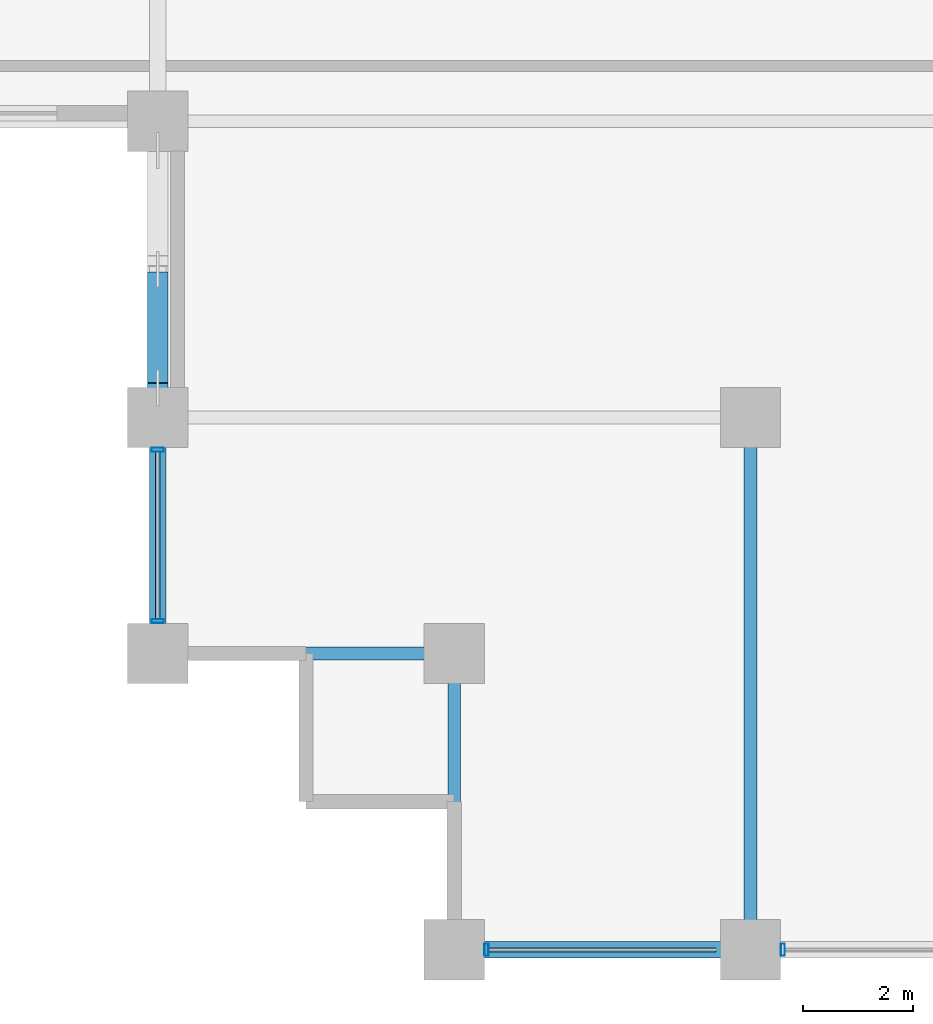
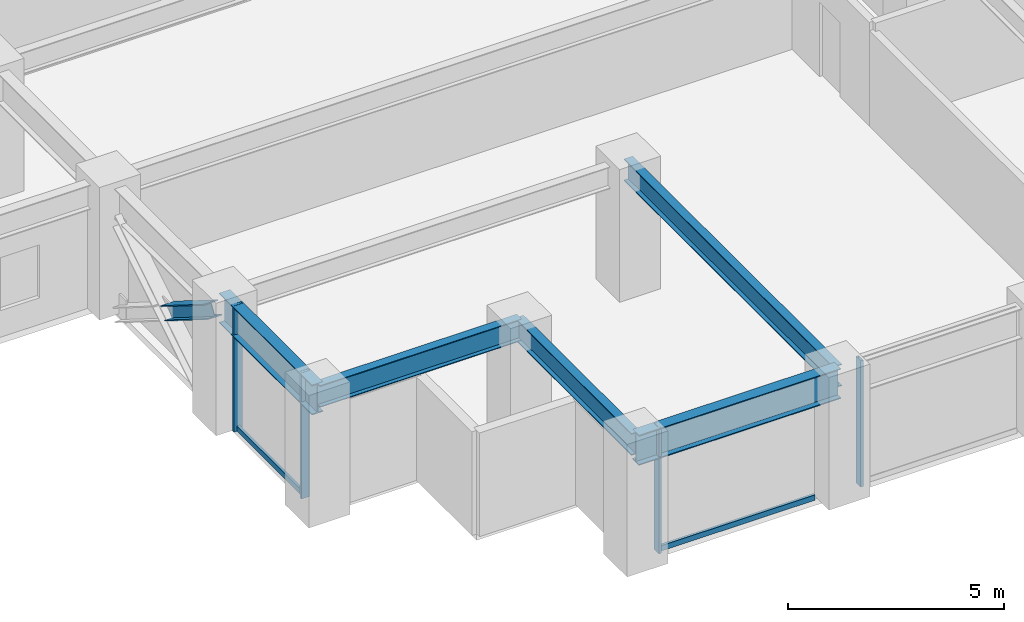
# One storey, part 2 of 29: 7 members, 5 beams, 2 elements without a shape of their own.
"""IFC4 building model written with IfcOpenShell, lengths in metres."""

from ifc_helpers import new_model, si_unit, direction, frame, origin, origin_2d, place, context, subcontext, project, spatial, hollow_rectangle, i_section, extrude, material, layer, layer_set, material_profile, profile_set, type_object, element, aggregate, save


model = new_model("IFC4")

# Units and contexts
model_context = context("Model", 3, precision=1e-05, world=origin(), true_north=direction((0.0, 1.0)))
body_context = subcontext(model_context, "Body", "Model", "MODEL_VIEW")
ifc_project = project(units=[si_unit("LENGTHUNIT", "METRE"), si_unit("AREAUNIT", "SQUARE_METRE"), si_unit("VOLUMEUNIT", "CUBIC_METRE"), si_unit("PLANEANGLEUNIT", "RADIAN"), si_unit("MASSUNIT", "GRAM", prefix="KILO")], contexts=[model_context])

# Site, building, storey
site_placement = place(None, origin())
site = spatial("IfcSite", under=ifc_project, at=site_placement, CompositionType="ELEMENT")
building_placement = place(site_placement, origin())
building = spatial("IfcBuilding", under=site, at=building_placement, Name="Surkhivell Harbour Commons", CompositionType="ELEMENT")
storey_placement = place(building_placement, frame((0.0, 0.0, 90.75)))
storey = spatial("IfcBuildingStorey", under=building, at=storey_placement, Name="L23", CompositionType="ELEMENT", Elevation=90.75)

# Beams
ifc_material_1 = material(Name="Steel S355", Category="steel")
ifc_material_profile_1 = material_profile(ifc_material_1, i_section(OverallWidth=0.22998046875, OverallDepth=0.616943359375, WebThickness=0.01318359375, FlangeThickness=0.022216796875, at=origin_2d()), Name="UB610x229x140")
ifc_profile_set_1 = profile_set([ifc_material_profile_1], Name="Steel S355")
beam_type_1 = type_object("IfcBeamType", Name="BM-GRD-610B", PredefinedType="BEAM", material=ifc_profile_set_1)
for number, where, z_axis, x_axis, name in (
    (1, (-32.39990234375, -20.5, 3.261474609375), (1.0, 0.0, 0.0), (0.0, 1.0, 0.0), "L23 Floor Girder (-32.4,-20.5)"),
    (2, (-27.0, -25.89990234375, 3.261474609375), (0.0, 1.0, 0.0), (-1.0, 0.0, 0.0), "L23 Floor Girder (-27.0,-25.9)"),
):
    element("IfcBeam", number, at=place(storey_placement, frame(where, z_axis=z_axis, x_axis=x_axis)), inside=storey, type_object=beam_type_1, Name=name, PredefinedType="BEAM", context=body_context, shape_type="SweptSolid", body=[
        extrude(i_section(OverallWidth=0.22998046875, OverallDepth=0.616943359375, WebThickness=0.01318359375, FlangeThickness=0.022216796875, at=origin_2d()), origin(), (0.0, 0.0, 1.0), 5.39990234375),
    ])
beam_1_placement = place(storey_placement, frame((-21.60009765625, -25.89990234375, 3.261474609375), z_axis=(0.0, 1.0, 0.0), x_axis=(-1.0, 0.0, 0.0)))
element("IfcBeam", 3, at=beam_1_placement, inside=storey, type_object=beam_type_1, Name="L23 Floor Girder (-21.6,-25.9)", PredefinedType="BEAM", context=body_context, shape_type="SweptSolid", body=[
    extrude(i_section(OverallWidth=0.22998046875, OverallDepth=0.616943359375, WebThickness=0.01318359375, FlangeThickness=0.022216796875, at=origin_2d()), origin(), (0.0, 0.0, 1.0), 9.699951171875),
])
ifc_material_2 = material(Name="Steel S460", Category="steel")
ifc_material_profile_2 = material_profile(ifc_material_2, i_section(OverallWidth=0.2939453125, OverallDepth=0.85107421875, WebThickness=0.01611328125, FlangeThickness=0.02685546875, at=origin_2d()), Name="UB838x292x226")
ifc_profile_set_2 = profile_set([ifc_material_profile_2], Name="Steel S460")
beam_type_2 = type_object("IfcBeamType", Name="BM-SPN-838", PredefinedType="SPANDREL", material=ifc_profile_set_2)
beam_2_placement = place(storey_placement, frame((-32.39990234375, -20.5, 3.14453125), z_axis=(0.0, 1.0, 0.0), x_axis=(-1.0, 0.0, 0.0)))
element("IfcBeam", 4, at=beam_2_placement, inside=storey, type_object=beam_type_2, Name="L23 Tube Spandrel (-32.4,-20.5)", PredefinedType="SPANDREL", context=body_context, shape_type="SweptSolid", body=[
    extrude(i_section(OverallWidth=0.2939453125, OverallDepth=0.85107421875, WebThickness=0.01611328125, FlangeThickness=0.02685546875, at=origin_2d()), origin(), (0.0, 0.0, 1.0), 4.300048828125),
])
beam_3_placement = place(storey_placement, frame((-27.0, -25.89990234375, 3.14453125), z_axis=(1.0, 0.0, 0.0), x_axis=(0.0, 1.0, 0.0)))
element("IfcBeam", 5, at=beam_3_placement, inside=storey, type_object=beam_type_2, Name="L23 Tube Spandrel (-27.0,-25.9)", PredefinedType="SPANDREL", context=body_context, shape_type="SweptSolid", body=[
    extrude(i_section(OverallWidth=0.2939453125, OverallDepth=0.85107421875, WebThickness=0.01611328125, FlangeThickness=0.02685546875, at=origin_2d()), origin(), (0.0, 0.0, 1.0), 5.39990234375),
])

# Curtain wall, members
ifc_material_3 = material(Name="Anodised pale-metal aluminium and insulated glazing", Category="aluminium")
ifc_layer = layer(ifc_material_3, 0.205078125)
ifc_layer_set = layer_set([ifc_layer], Name="Anodised pale-metal aluminium and insulated glazing")
curtain_wall_type = type_object("IfcCurtainWallType", Name="CW-SYS-Z2", PredefinedType="NOTDEFINED", material=ifc_layer_set)
curtain_wall_1_placement = place(storey_placement, origin())
curtain_wall_1 = element("IfcCurtainWall", 6, at=curtain_wall_1_placement, inside=storey, type_object=curtain_wall_type, Name="L23 Curtain Wall CW-L23-E00S1", PredefinedType="NOTDEFINED")
ifc_material_4 = material(Name="Anodised pale-metal aluminium alloy 6063-T6", Category="aluminium")
ifc_material_profile_3 = material_profile(ifc_material_4, hollow_rectangle(XDim=0.074951171875, YDim=0.219970703125, WallThickness=0.00390625, at=origin_2d()), Name="ALU-MULL-75x220")
ifc_profile_set_3 = profile_set([ifc_material_profile_3], Name="Anodised pale-metal aluminium alloy 6063-T6")
member_type_1 = type_object("IfcMemberType", Name="CWM-220", PredefinedType="MULLION", material=ifc_profile_set_3)
member_1_placement = place(storey_placement, frame((-26.410400390625, -25.89990234375, 0.0), z_axis=(0.0, 0.0, 1.0), x_axis=(1.0, 0.0, 0.0)))
member_1 = element("IfcMember", 7, at=member_1_placement, type_object=member_type_1, Name="CW-Z2 mullion 1", PredefinedType="MULLION", context=body_context, shape_type="SweptSolid", body=[
    extrude(hollow_rectangle(XDim=0.074951171875, YDim=0.219970703125, WallThickness=0.00390625, at=origin_2d()), origin(), (0.0, 0.0, 1.0), 3.570068359375),
])
member_2_placement = place(storey_placement, frame((-21.010498046875, -25.89990234375, 0.0), z_axis=(0.0, 0.0, 1.0), x_axis=(1.0, 0.0, 0.0)))
member_2 = element("IfcMember", 8, at=member_2_placement, type_object=member_type_1, Name="CW-Z2 mullion 2", PredefinedType="MULLION", context=body_context, shape_type="SweptSolid", body=[
    extrude(hollow_rectangle(XDim=0.074951171875, YDim=0.219970703125, WallThickness=0.00390625, at=origin_2d()), origin(), (0.0, 0.0, 1.0), 3.570068359375),
])

curtain_wall_2_placement = place(storey_placement, origin())
curtain_wall_2 = element("IfcCurtainWall", 9, at=curtain_wall_2_placement, inside=storey, type_object=curtain_wall_type, Name="L23 Curtain Wall CW-L23-E12R1S1", PredefinedType="NOTDEFINED")
member_3_placement = place(storey_placement, frame((-32.39990234375, -19.910400390625, 0.0), z_axis=(0.0, 0.0, 1.0), x_axis=(0.0, 1.0, 0.0)))
member_3 = element("IfcMember", 10, at=member_3_placement, type_object=member_type_1, Name="CW-Z2 mullion 1", PredefinedType="MULLION", context=body_context, shape_type="SweptSolid", body=[
    extrude(hollow_rectangle(XDim=0.074951171875, YDim=0.219970703125, WallThickness=0.00390625, at=origin_2d()), origin(), (0.0, 0.0, 1.0), 3.570068359375),
])
member_4_placement = place(storey_placement, frame((-32.39990234375, -16.78955078125, 0.0), z_axis=(0.0, 0.0, 1.0), x_axis=(0.0, 1.0, 0.0)))
member_4 = element("IfcMember", 11, at=member_4_placement, type_object=member_type_1, Name="CW-Z2 mullion 2", PredefinedType="MULLION", context=body_context, shape_type="SweptSolid", body=[
    extrude(hollow_rectangle(XDim=0.074951171875, YDim=0.219970703125, WallThickness=0.00390625, at=origin_2d()), origin(), (0.0, 0.0, 1.0), 3.570068359375),
])

# Member
ifc_material_profile_4 = material_profile(ifc_material_4, hollow_rectangle(XDim=0.074951171875, YDim=0.14990234375, WallThickness=0.00341796875, at=origin_2d()), Name="ALU-TRAN-75x150")
ifc_profile_set_4 = profile_set([ifc_material_profile_4], Name="Anodised pale-metal aluminium alloy 6063-T6")
member_type_2 = type_object("IfcMemberType", Name="CWT-150", PredefinedType="USERDEFINED", material=ifc_profile_set_4)
member_5_placement = place(storey_placement, frame((-26.373046875, -25.89990234375, 0.074951171875), z_axis=(1.0, 0.0, 0.0), x_axis=(0.0, 1.0, 0.0)))
member_5 = element("IfcMember", 12, at=member_5_placement, type_object=member_type_2, Name="CW-Z2 transom 1.1", ObjectType="TRANSOM", PredefinedType="USERDEFINED", context=body_context, shape_type="SweptSolid", body=[
    extrude(hollow_rectangle(XDim=0.074951171875, YDim=0.14990234375, WallThickness=0.00341796875, at=origin_2d()), origin(), (0.0, 0.0, 1.0), 4.14599609375),
])

aggregate(curtain_wall_1, [member_1, member_5, member_2])

member_6_placement = place(storey_placement, frame((-32.39990234375, -19.873046875, 0.074951171875), z_axis=(0.0, 1.0, 0.0), x_axis=(-1.0, 0.0, 0.0)))
member_6 = element("IfcMember", 13, at=member_6_placement, type_object=member_type_2, Name="CW-Z2 transom 1.1", ObjectType="TRANSOM", PredefinedType="USERDEFINED", context=body_context, shape_type="SweptSolid", body=[
    extrude(hollow_rectangle(XDim=0.074951171875, YDim=0.14990234375, WallThickness=0.00341796875, at=origin_2d()), origin(), (0.0, 0.0, 1.0), 3.046142578125),
])

aggregate(curtain_wall_2, [member_3, member_4, member_6])

ifc_material_profile_5 = material_profile(ifc_material_2, i_section(OverallWidth=0.375, OverallDepth=0.375, WebThickness=0.0166015625, FlangeThickness=0.027099609375, at=origin_2d()), Name="UC356x368x202")
ifc_profile_set_5 = profile_set([ifc_material_profile_5], Name="Steel S460")
member_type_3 = type_object("IfcMemberType", Name="MEM-BRC-UC356", PredefinedType="BRACE", material=ifc_profile_set_5)
member_7_placement = place(storey_placement, frame((-32.39990234375, -13.652587890625, 1.461181640625), z_axis=(0.0, -0.84725256761, 0.53119025469), x_axis=(1.0, 0.0, 0.0)))
element("IfcMember", 14, at=member_7_placement, inside=storey, type_object=member_type_3, Name="L23 Perimeter Mega-Brace MB- 12", PredefinedType="BRACE", context=body_context, shape_type="SweptSolid", body=[
    extrude(i_section(OverallWidth=0.375, OverallDepth=0.375, WebThickness=0.0166015625, FlangeThickness=0.027099609375, at=origin_2d()), origin(), (0.0, 0.0, 1.0), 2.375244140625),
])

save(model, "model.ifc")
